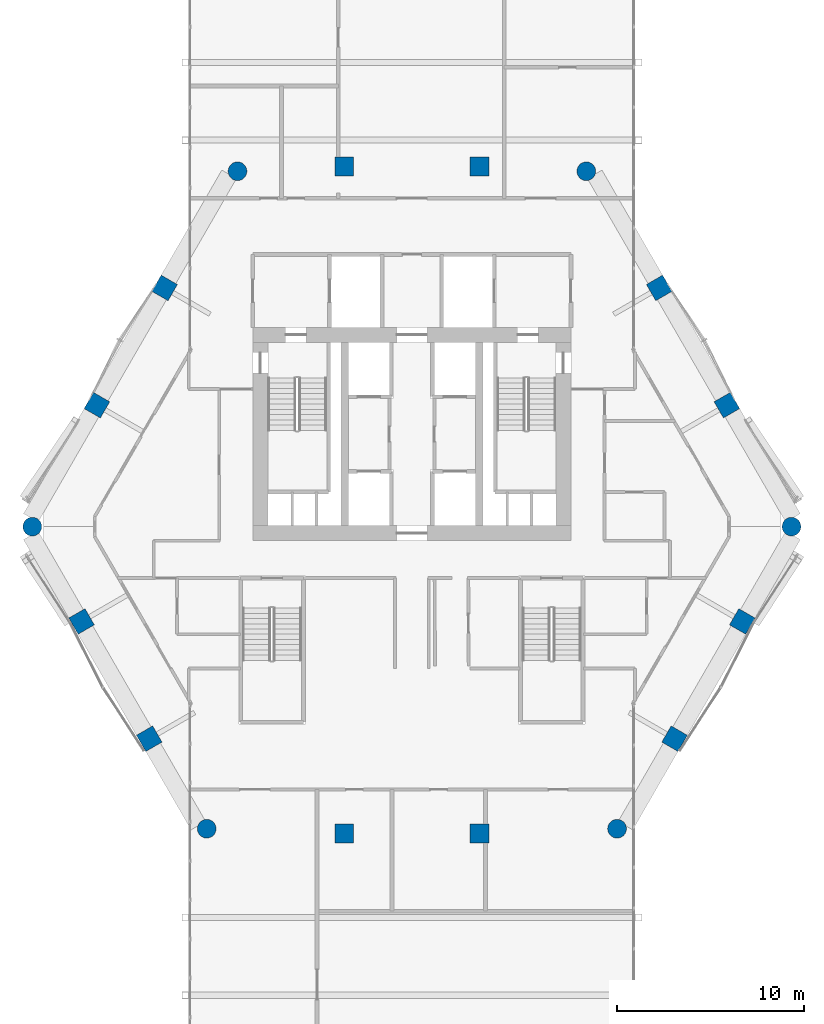
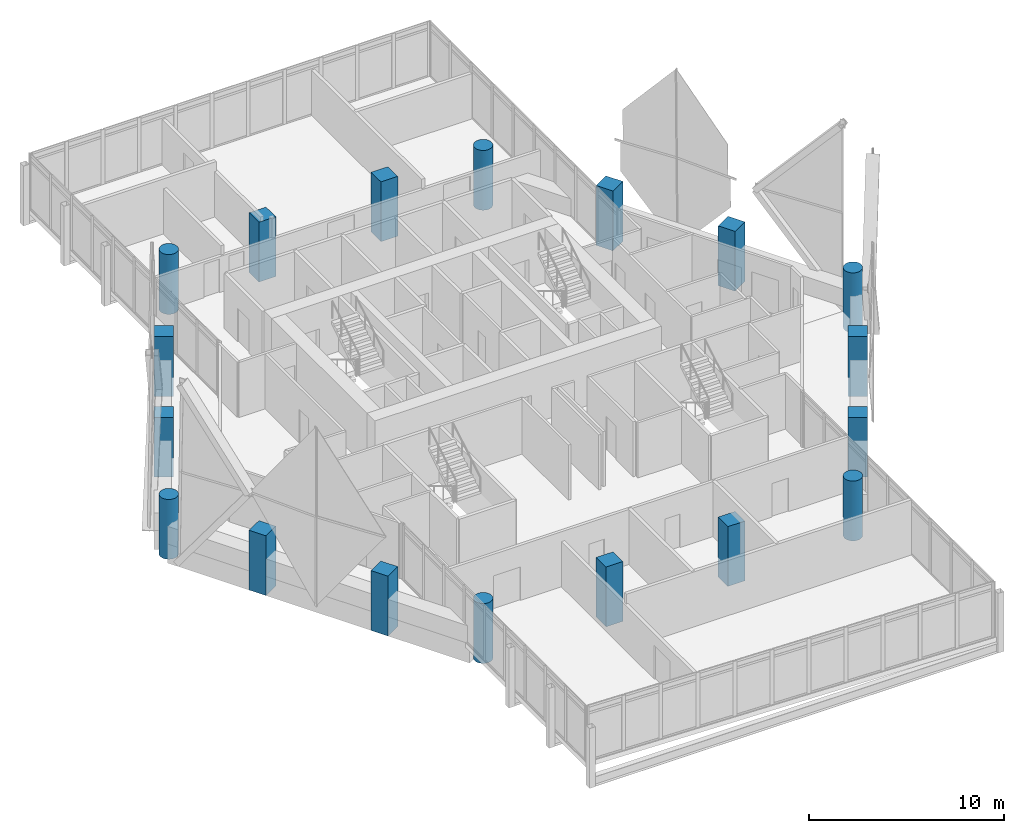
# One storey, part 1 of 37: 18 columns.
"""IFC4 building model written with IfcOpenShell, lengths in metres."""

import ifcopenshell
import ifcopenshell.guid

model = None  # the IFC model being written
_history = None  # IfcOwnerHistory: only IFC2X3 demands one
_inside = {}  # id of a spatial element -> (the spatial element, [elements in it])
_under = {}  # id of a project, library or spatial element -> (it, [spatial elements below it])
_declared = {}  # id of a project -> (the project, [libraries it declares])
_typed = {}  # id of a type object -> (the type object, [elements of that type])
_made_of = {}  # id of a material, layer set ... -> (it, [elements and type objects made of it])


def new_model(schema):
    """Start an empty IFC model of exactly this schema.

    Asked for "IFC4X3", IfcOpenShell would pick the latest addendum, in which some entities
    have other attributes; the version numbers below select the first issue.
    IFC2X3 requires an IfcOwnerHistory on every rooted entity: one is made here for all.
    """
    global model, _history
    if schema == "IFC4X3":
        model = ifcopenshell.file(schema_version=(4, 3, 0, 0))
    else:
        model = ifcopenshell.file(schema=schema)
    _inside.clear()
    _under.clear()
    _declared.clear()
    _typed.clear()
    _made_of.clear()
    _history = None
    if model.schema == "IFC2X3":
        org = make("IfcOrganization", Name="unknown")
        user = make(
            "IfcPersonAndOrganization",
            ThePerson=make("IfcPerson", FamilyName="unknown"),
            TheOrganization=org,
        )
        app = make(
            "IfcApplication",
            ApplicationDeveloper=org,
            Version="unknown",
            ApplicationFullName="unknown",
            ApplicationIdentifier="unknown",
        )
        _history = make(
            "IfcOwnerHistory",
            OwningUser=user,
            OwningApplication=app,
            ChangeAction="ADDED",
            CreationDate=0,
        )
    return model


def make(cls, **values):
    """One entity of the class cls with the attributes given. An attribute that is None is left unset."""
    return model.create_entity(
        cls, **{name: value for name, value in values.items() if value is not None}
    )


def rooted(cls, **values):
    """An entity with a GlobalId (a new one), such as an element, a storey or a relation."""
    return make(cls, GlobalId=ifcopenshell.guid.new(), OwnerHistory=_history, **values)


def si_unit(unit_type, name, prefix=None):
    """IfcSIUnit, for example si_unit("LENGTHUNIT", "METRE", prefix="MILLI")."""
    return make("IfcSIUnit", UnitType=unit_type, Prefix=prefix, Name=name)


def assignment(units):
    """IfcUnitAssignment: the units of a project."""
    return None if units is None else make("IfcUnitAssignment", Units=units)


def point(xyz):
    """IfcCartesianPoint."""
    return None if xyz is None else make("IfcCartesianPoint", Coordinates=xyz)


def direction(xyz):
    """IfcDirection."""
    return None if xyz is None else make("IfcDirection", DirectionRatios=xyz)


def frame(location, z_axis=None, x_axis=None):
    """IfcAxis2Placement3D, a coordinate frame: its origin and axes. An axis left out is left unset."""
    return make(
        "IfcAxis2Placement3D",
        Location=point(location),
        Axis=direction(z_axis),
        RefDirection=direction(x_axis),
    )


def frame_2d(location, x_axis=None):
    """IfcAxis2Placement2D, a coordinate frame in the plane: its origin and x axis."""
    return make(
        "IfcAxis2Placement2D", Location=point(location), RefDirection=direction(x_axis)
    )


def origin():
    """The frame at (0, 0, 0) with its axes left unset."""
    return frame((0.0, 0.0, 0.0))


def origin_2d():
    """The frame at (0, 0) in the plane with its x axis left unset."""
    return frame_2d((0.0, 0.0))


def place(relative_to, where):
    """IfcLocalPlacement: puts the frame where relative to a parent placement (None: the world)."""
    return make(
        "IfcLocalPlacement", PlacementRelTo=relative_to, RelativePlacement=where
    )


def context(
    kind, dimensions, precision=None, world=None, true_north=None, identifier=None
):
    """IfcGeometricRepresentationContext, for example the 3D "Model" context."""
    return make(
        "IfcGeometricRepresentationContext",
        ContextIdentifier=identifier,
        ContextType=kind,
        CoordinateSpaceDimension=dimensions,
        Precision=precision,
        WorldCoordinateSystem=world,
        TrueNorth=true_north,
    )


def subcontext(parent, identifier, kind, view, scale=None):
    """IfcGeometricRepresentationSubContext, for example "Body" below "Model"."""
    return make(
        "IfcGeometricRepresentationSubContext",
        ContextIdentifier=identifier,
        ContextType=kind,
        ParentContext=parent,
        TargetScale=scale,
        TargetView=view,
    )


def project(units=None, contexts=None):
    """IfcProject with its units and contexts."""
    return rooted(
        "IfcProject",
        Name="project",
        RepresentationContexts=contexts,
        UnitsInContext=assignment(units),
    )


def spatial(cls, under=None, at=None, **own):
    """A site, building, storey or space (cls), placed at a placement, below another one or the project."""
    s = rooted(cls, ObjectPlacement=at, **own)
    if under is not None:
        _under.setdefault(under.id(), (under, []))[1].append(s)
    return s


def profile(cls, at=None, kind="AREA", **sizes):
    """A parametric profile (cls). Its sizes go by their IFC names, for example OverallWidth=200.0."""
    return make(cls, ProfileType=kind, Position=at, **sizes)


def rectangle(**sizes):
    """IfcRectangleProfileDef."""
    return profile("IfcRectangleProfileDef", **sizes)


def circle(**sizes):
    """IfcCircleProfileDef."""
    return profile("IfcCircleProfileDef", **sizes)


def extrude(swept, where, along, depth):
    """IfcExtrudedAreaSolid: the profile swept, set in the frame where, extruded along a direction by depth."""
    return make(
        "IfcExtrudedAreaSolid",
        SweptArea=swept,
        Position=where,
        ExtrudedDirection=direction(along),
        Depth=depth,
    )


def shape(context_of_items, identifier, shape_type, items):
    """IfcShapeRepresentation: the items that make up one representation, for example the "Body"."""
    return make(
        "IfcShapeRepresentation",
        ContextOfItems=context_of_items,
        RepresentationIdentifier=identifier,
        RepresentationType=shape_type,
        Items=items,
    )


def material(Name=None, Category=None):
    """IfcMaterial."""
    return make("IfcMaterial", Name=Name, Category=Category)


def material_profile(
    of_material, cross_section, Name=None, Category=None, Priority=None
):
    """IfcMaterialProfile: a cross section and its material."""
    return make(
        "IfcMaterialProfile",
        Name=Name,
        Material=of_material,
        Profile=cross_section,
        Priority=Priority,
        Category=Category,
    )


def profile_set(profiles, Name=None, composite=None):
    """IfcMaterialProfileSet."""
    return make(
        "IfcMaterialProfileSet",
        Name=Name,
        MaterialProfiles=profiles,
        CompositeProfile=composite,
    )


def made_of(thing, what):
    """Note that an element or type object is made of a material, layer set ...; save() writes the relation."""
    if what is not None:
        _made_of.setdefault(what.id(), (what, []))[1].append(thing)
    return thing


def type_object(cls, material=None, **own):
    """A type object (cls), such as IfcWallType, which elements share."""
    return made_of(rooted(cls, **own), material)


def element(
    cls,
    number,
    at=None,
    inside=None,
    cuts=None,
    type_object=None,
    material=None,
    context=None,
    identifier="Body",
    shape_type=None,
    held_by="IfcProductDefinitionShape",
    body=None,
    shapes=None,
    **own,
):
    """One element of the class cls, such as IfcWall. Its Tag is "e" and its number.

    at: its placement. inside: the storey or other place that contains it. cuts: it is an
    opening in that element (IfcRelVoidsElement). A single representation is given by context,
    identifier, shape_type and body (its items); several are given by shapes. held_by: the class
    of the entity that holds the representations. save() writes the other relations.
    """
    e = rooted(cls, Tag="e%d" % number, ObjectPlacement=at, **own)
    if body is not None:
        shapes = [shape(context, identifier, shape_type, body)]
    if shapes is not None:
        e.Representation = make(held_by, Representations=shapes)
    if inside is not None:
        _inside.setdefault(inside.id(), (inside, []))[1].append(e)
    if cuts is not None:
        rooted(
            "IfcRelVoidsElement", RelatingBuildingElement=cuts, RelatedOpeningElement=e
        )
    if type_object is not None:
        _typed.setdefault(type_object.id(), (type_object, []))[1].append(e)
    return made_of(e, material)


def aggregate(whole, parts):
    """IfcRelAggregates: a whole, such as a stair, and the parts it consists of."""
    return rooted("IfcRelAggregates", RelatingObject=whole, RelatedObjects=parts)


def save(model, path):
    """Write the relations noted so far, then the file.

    IfcRelAggregates (storeys below a building ...), IfcRelContainedInSpatialStructure (elements
    in a storey), IfcRelDefinesByType, IfcRelAssociatesMaterial and IfcRelDeclares: one each for
    every whole, place, type object, material and project.
    """
    for whole, parts in _under.values():
        aggregate(whole, parts)
    for where, things in _inside.values():
        rooted(
            "IfcRelContainedInSpatialStructure",
            RelatedElements=things,
            RelatingStructure=where,
        )
    for kind, things in _typed.values():
        rooted("IfcRelDefinesByType", RelatedObjects=things, RelatingType=kind)
    for what, things in _made_of.values():
        rooted("IfcRelAssociatesMaterial", RelatedObjects=things, RelatingMaterial=what)
    for by, libraries in _declared.values():
        rooted("IfcRelDeclares", RelatingContext=by, RelatedDefinitions=libraries)
    model.write(path)


model = new_model("IFC4")

# Units and contexts
model_context = context("Model", 3, precision=1e-05, world=origin(), true_north=direction((0.0, 1.0)))
body_context = subcontext(model_context, "Body", "Model", "MODEL_VIEW")
ifc_project = project(units=[si_unit("LENGTHUNIT", "METRE"), si_unit("AREAUNIT", "SQUARE_METRE"), si_unit("VOLUMEUNIT", "CUBIC_METRE"), si_unit("PLANEANGLEUNIT", "RADIAN"), si_unit("MASSUNIT", "GRAM", prefix="KILO")], contexts=[model_context])

# Site, building, storey
site_placement = place(None, origin())
site = spatial("IfcSite", under=ifc_project, at=site_placement, CompositionType="ELEMENT")
building_placement = place(site_placement, origin())
building = spatial("IfcBuilding", under=site, at=building_placement, Name="Ostrander Bayou Hotel Tower", CompositionType="ELEMENT")
storey_placement = place(building_placement, frame((0.0, 0.0, 198.25)))
storey = spatial("IfcBuildingStorey", under=building, at=storey_placement, Name="L49", CompositionType="ELEMENT", Elevation=198.25)

# Columns
ifc_material_1 = material(Name="Concrete f'c 60 MPa", Category="concrete")
ifc_material_profile_1 = material_profile(ifc_material_1, circle(Radius=0.5, at=origin_2d()))
ifc_profile_set_1 = profile_set([ifc_material_profile_1], Name="Concrete f'c 60 MPa")
column_type_1 = type_object("IfcColumnType", Name="C5 round column 1000 mm f'c 60 MPa", PredefinedType="COLUMN", material=ifc_profile_set_1)
for number, where, z_axis, x_axis, name in (
    (1, (-9.322509765625, 18.04541015625, -1.199951171875), (0.0, 0.0, 1.0), (1.0, 0.0, 0.0), "C5 L49 K0"),
    (2, (-20.2890625, -0.94921875, -1.199951171875), (0.0, 0.0, 1.0), (1.0, 0.0, 0.0), "C5 L49 K1"),
    (3, (-10.966552734375, -17.09619140625, -1.199951171875), (0.0, 0.0, 1.0), (1.0, 0.0, 0.0), "C5 L49 K2"),
    (4, (10.966552734375, -17.09619140625, -1.199951171875), (0.0, 0.0, 1.0), (1.0, 0.0, 0.0), "C5 L49 K3"),
    (5, (20.2890625, -0.94921875, -1.199951171875), (0.0, 0.0, 1.0), (1.0, 0.0, 0.0), "C5 L49 K4"),
    (6, (9.322509765625, 18.04541015625, -1.199951171875), (0.0, 0.0, 1.0), (1.0, 0.0, 0.0), "C5 L49 K5"),
):
    element("IfcColumn", number, at=place(storey_placement, frame(where, z_axis=z_axis, x_axis=x_axis)), inside=storey, type_object=column_type_1, Name=name, PredefinedType="COLUMN", context=body_context, shape_type="SweptSolid", body=[
        extrude(circle(Radius=0.5, at=origin_2d()), origin(), (0.0, 0.0, 1.0), 3.75),
    ])
ifc_material_2 = material(Name="Concrete f'c 60 MPa", Category="concrete")
ifc_material_profile_2 = material_profile(ifc_material_2, rectangle(XDim=1.0, YDim=1.0, at=origin_2d()))
ifc_profile_set_2 = profile_set([ifc_material_profile_2], Name="Concrete f'c 60 MPa")
column_type_2 = type_object("IfcColumnType", Name="C6 square column 1000 x 1000 mm f'c 60 MPa", PredefinedType="COLUMN", material=ifc_profile_set_2)
for number, where, z_axis, x_axis, name in (
    (7, (3.6181640625, 18.300048828125, -1.199951171875), (0.0, 0.0, 1.0), (1.0, 0.0, 0.0), "C6 L49 N1"),
    (8, (-3.6181640625, 18.300048828125, -1.199951171875), (0.0, 0.0, 1.0), (1.0, 0.0, 0.0), "C6 L49 N2"),
    (9, (-13.21728515625, 11.80859375, -1.199951171875), (0.0, 0.0, 1.0), (0.5, 0.866025403784, 0.0), "C6 L49 NW1"),
    (10, (-16.835205078125, 5.5419921875, -1.199951171875), (0.0, 0.0, 1.0), (0.5, 0.866025403784, 0.0), "C6 L49 NW2"),
    (11, (-17.6572265625, -6.0166015625, -1.199951171875), (0.0, 0.0, 1.0), (-0.5, 0.866025403784, 0.0), "C6 L49 SW1"),
    (12, (-14.039306640625, -12.283203125, -1.199951171875), (0.0, 0.0, 1.0), (-0.5, 0.866025403784, 0.0), "C6 L49 SW2"),
    (13, (-3.6181640625, -17.350830078125, -1.199951171875), (0.0, 0.0, 1.0), (-1.0, 0.0, 0.0), "C6 L49 S1"),
    (14, (3.6181640625, -17.350830078125, -1.199951171875), (0.0, 0.0, 1.0), (-1.0, 0.0, 0.0), "C6 L49 S2"),
    (15, (14.039306640625, -12.283203125, -1.199951171875), (0.0, 0.0, 1.0), (-0.5, -0.866025403784, 0.0), "C6 L49 SE1"),
    (16, (17.6572265625, -6.0166015625, -1.199951171875), (0.0, 0.0, 1.0), (-0.5, -0.866025403784, 0.0), "C6 L49 SE2"),
    (17, (16.835205078125, 5.5419921875, -1.199951171875), (0.0, 0.0, 1.0), (0.5, -0.866025403784, 0.0), "C6 L49 NE1"),
    (18, (13.21728515625, 11.80859375, -1.199951171875), (0.0, 0.0, 1.0), (0.5, -0.866025403784, 0.0), "C6 L49 NE2"),
):
    element("IfcColumn", number, at=place(storey_placement, frame(where, z_axis=z_axis, x_axis=x_axis)), inside=storey, type_object=column_type_2, Name=name, PredefinedType="COLUMN", context=body_context, shape_type="SweptSolid", body=[
        extrude(rectangle(XDim=1.0, YDim=1.0, at=origin_2d()), origin(), (0.0, 0.0, 1.0), 3.75),
    ])

save(model, "model.ifc")
